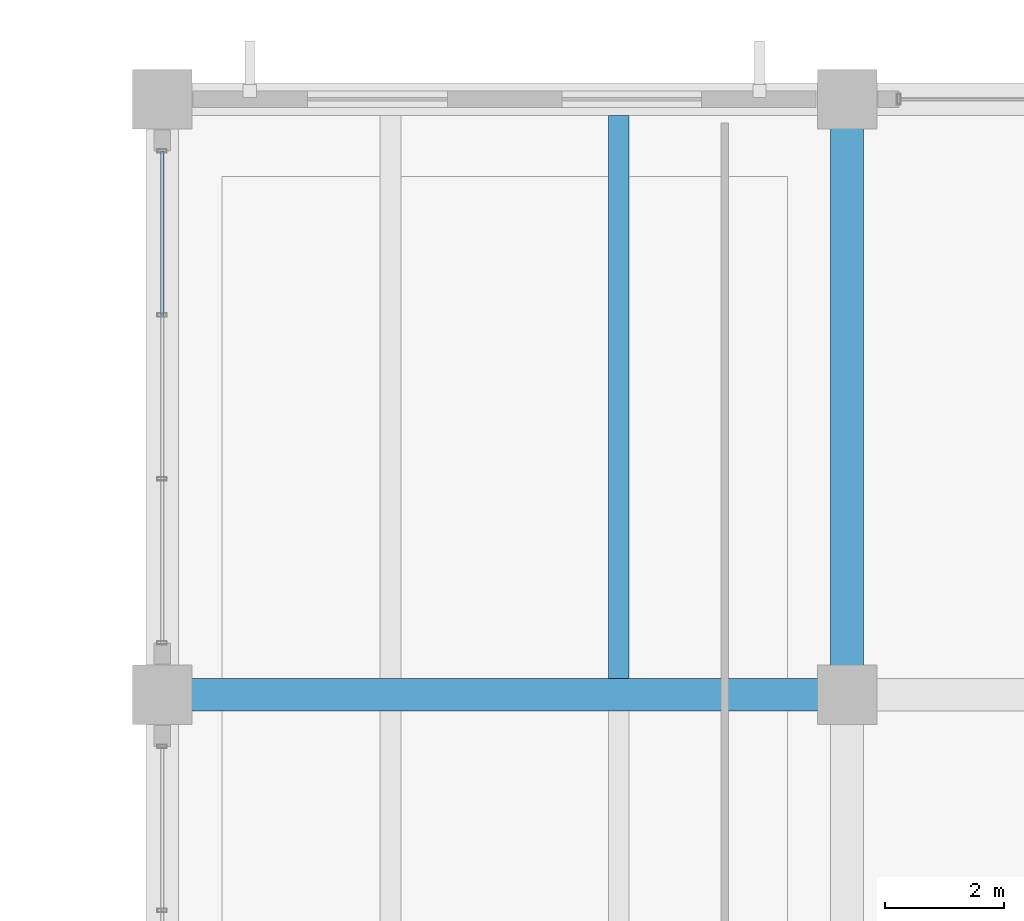
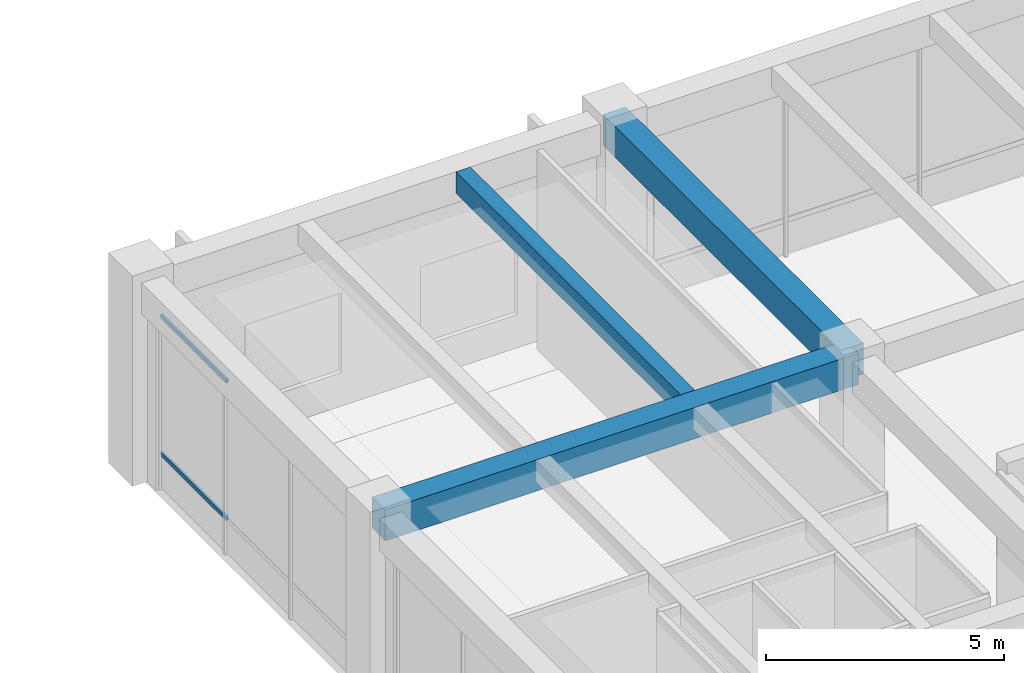
# One storey, part 82 of 148: 3 beams, 2 members, 1 element without a shape of its own.
"""IFC4 building model written with IfcOpenShell, lengths in metres."""

from ifc_helpers import new_model, si_unit, direction, frame, origin, origin_2d, place, context, subcontext, project, spatial, rectangle, hollow_rectangle, extrude, material, material_profile, profile_set, type_object, element, aggregate, save


model = new_model("IFC4")

# Units and contexts
model_context = context("Model", 3, precision=1e-05, world=origin(), true_north=direction((0.0, 1.0)))
body_context = subcontext(model_context, "Body", "Model", "MODEL_VIEW")
ifc_project = project(units=[si_unit("LENGTHUNIT", "METRE"), si_unit("AREAUNIT", "SQUARE_METRE"), si_unit("VOLUMEUNIT", "CUBIC_METRE"), si_unit("PLANEANGLEUNIT", "RADIAN"), si_unit("MASSUNIT", "GRAM", prefix="KILO")], contexts=[model_context])

# Site, building, storey
site_placement = place(None, origin())
site = spatial("IfcSite", under=ifc_project, at=site_placement, CompositionType="ELEMENT")
building_placement = place(site_placement, origin())
building = spatial("IfcBuilding", under=site, at=building_placement, Name="Ologun Quay Terminus", CompositionType="ELEMENT")
storey_placement = place(building_placement, frame((0.0, 0.0, 8.39990234375)))
storey = spatial("IfcBuildingStorey", under=building, at=storey_placement, Name="L02", CompositionType="ELEMENT", Elevation=8.39990234375)

# Curtain wall, members
ifc_material_1 = material(Name="Aluminium 6063-T6", Category="aluminium")
curtain_wall_type = type_object("IfcCurtainWallType", Name="Rain-Garden East Courtyard Curtain Wall L02 9200x5000", PredefinedType="USERDEFINED", material=ifc_material_1)
curtain_wall_placement = place(storey_placement, origin())
curtain_wall = element("IfcCurtainWall", 1, at=curtain_wall_placement, inside=storey, type_object=curtain_wall_type, Name="CW-19 Curtain Wall CW-L02-137", ObjectType="UNITISED CURTAIN WALL", PredefinedType="USERDEFINED")
ifc_material_2 = material(Name="Aluminium 6063-T6", Category="aluminium")
ifc_material_profile_1 = material_profile(ifc_material_2, hollow_rectangle(XDim=0.054931640625, YDim=0.110107421875, WallThickness=0.00390625, at=origin_2d()), Name="ALU 110x55x4")
ifc_profile_set_1 = profile_set([ifc_material_profile_1], Name="Aluminium 6063-T6")
member_type = type_object("IfcMemberType", Name="Courtyard Screen Transom 110x55", PredefinedType="USERDEFINED", material=ifc_profile_set_1)
member_1_placement = place(storey_placement, frame((115.0, 111.1767578125, 0.900146484375), z_axis=(0.0, 1.0, 0.0), x_axis=(-1.0, 0.0, 0.0)))
member_1 = element("IfcMember", 2, at=member_1_placement, type_object=member_type, Name="CW-L02-137 Transom B3-1", ObjectType="TRANSOM", PredefinedType="USERDEFINED", context=body_context, shape_type="SweptSolid", body=[
    extrude(hollow_rectangle(XDim=0.054931640625, YDim=0.110107421875, WallThickness=0.00390625, at=origin_2d()), origin(), (0.0, 0.0, 1.0), 2.753173828125),
])
member_2_placement = place(storey_placement, frame((115.0, 111.1767578125, 4.43017578125), z_axis=(0.0, 1.0, 0.0), x_axis=(-1.0, 0.0, 0.0)))
member_2 = element("IfcMember", 3, at=member_2_placement, type_object=member_type, Name="CW-L02-137 Transom B3-2", ObjectType="TRANSOM", PredefinedType="USERDEFINED", context=body_context, shape_type="SweptSolid", body=[
    extrude(hollow_rectangle(XDim=0.054931640625, YDim=0.110107421875, WallThickness=0.00390625, at=origin_2d()), origin(), (0.0, 0.0, 1.0), 2.753173828125),
])
aggregate(curtain_wall, [member_1, member_2])

# Beams
ifc_material_3 = material(Name="Concrete C40/50", Category="concrete")
ifc_material_profile_2 = material_profile(ifc_material_3, rectangle(XDim=0.550048828125, YDim=0.800048828125, at=origin_2d()), Name="RC 550x800")
ifc_profile_set_2 = profile_set([ifc_material_profile_2], Name="Concrete C40/50")
beam_type_1 = type_object("IfcBeamType", Name="Courtyard Wing Primary Girder 550x800", PredefinedType="BEAM", material=ifc_profile_set_2)
beam_1_placement = place(storey_placement, frame((115.0, 104.800048828125, 4.75), z_axis=(1.0, 0.0, 0.0), x_axis=(0.0, 1.0, 0.0)))
element("IfcBeam", 4, at=beam_1_placement, inside=storey, type_object=beam_type_1, Name="B4 Beam 11/J L02", PredefinedType="BEAM", context=body_context, shape_type="SweptSolid", body=[
    extrude(rectangle(XDim=0.550048828125, YDim=0.800048828125, at=origin_2d()), origin(), (0.0, 0.0, 1.0), 11.5),
])
beam_2_placement = place(storey_placement, frame((126.5, 104.800048828125, 4.75), z_axis=(0.0, 1.0, 0.0), x_axis=(-1.0, 0.0, 0.0)))
element("IfcBeam", 5, at=beam_2_placement, inside=storey, type_object=beam_type_1, Name="B4 Beam 12/J L02", PredefinedType="BEAM", context=body_context, shape_type="SweptSolid", body=[
    extrude(rectangle(XDim=0.550048828125, YDim=0.800048828125, at=origin_2d()), origin(), (0.0, 0.0, 1.0), 10.0),
])
ifc_material_4 = material(Name="Concrete C40/50", Category="concrete")
ifc_material_profile_3 = material_profile(ifc_material_4, rectangle(XDim=0.35009765625, YDim=0.550048828125, at=origin_2d()), Name="RC 350x550")
ifc_profile_set_3 = profile_set([ifc_material_profile_3], Name="Concrete C40/50")
beam_type_2 = type_object("IfcBeamType", Name="Courtyard Wing Secondary Joist 350x550", PredefinedType="JOIST", material=ifc_profile_set_3)
beam_3_placement = place(storey_placement, frame((122.666748046875, 105.074951171875, 4.875), z_axis=(0.0, 1.0, 0.0), x_axis=(-1.0, 0.0, 0.0)))
element("IfcBeam", 6, at=beam_3_placement, inside=storey, type_object=beam_type_2, Name="J2 Beam 11/J L02", PredefinedType="JOIST", context=body_context, shape_type="SweptSolid", body=[
    extrude(rectangle(XDim=0.35009765625, YDim=0.550048828125, at=origin_2d()), origin(), (0.0, 0.0, 1.0), 9.449951171875),
])

save(model, "model.ifc")
